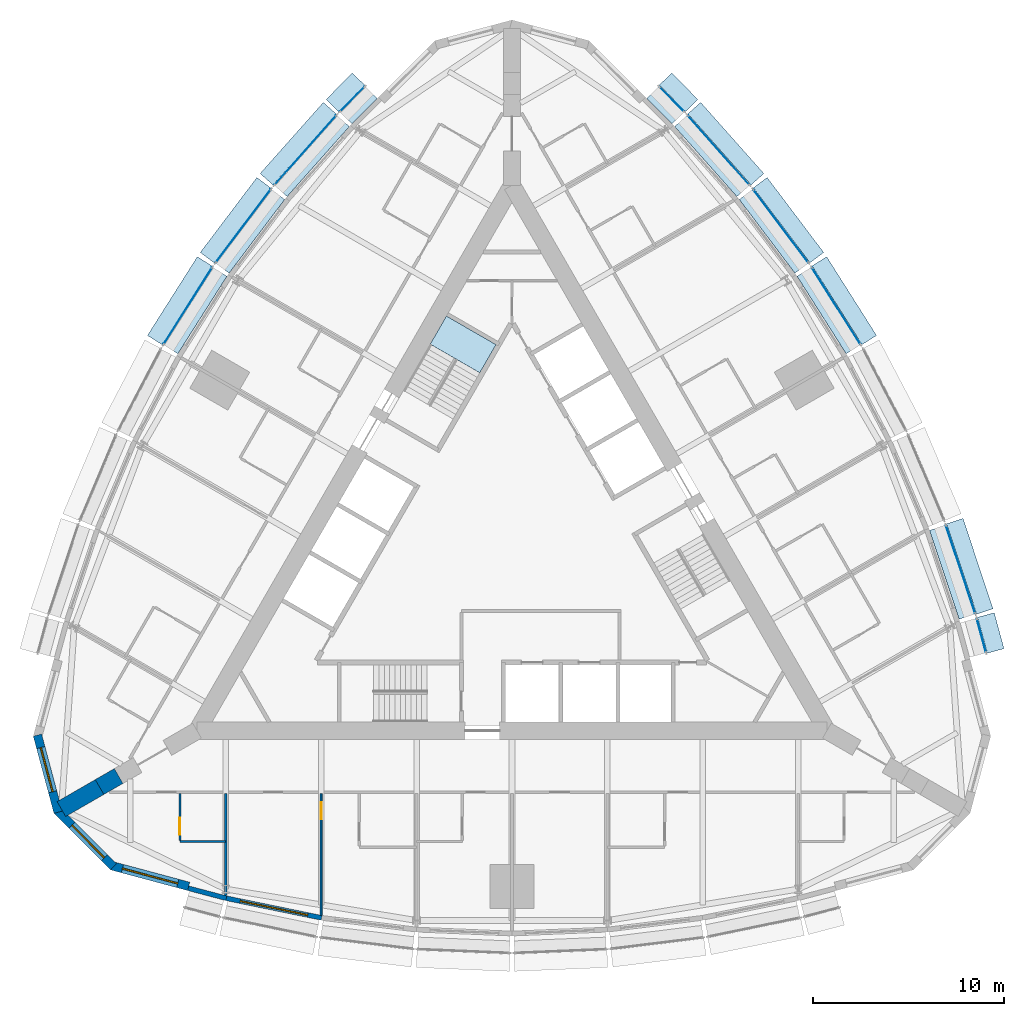
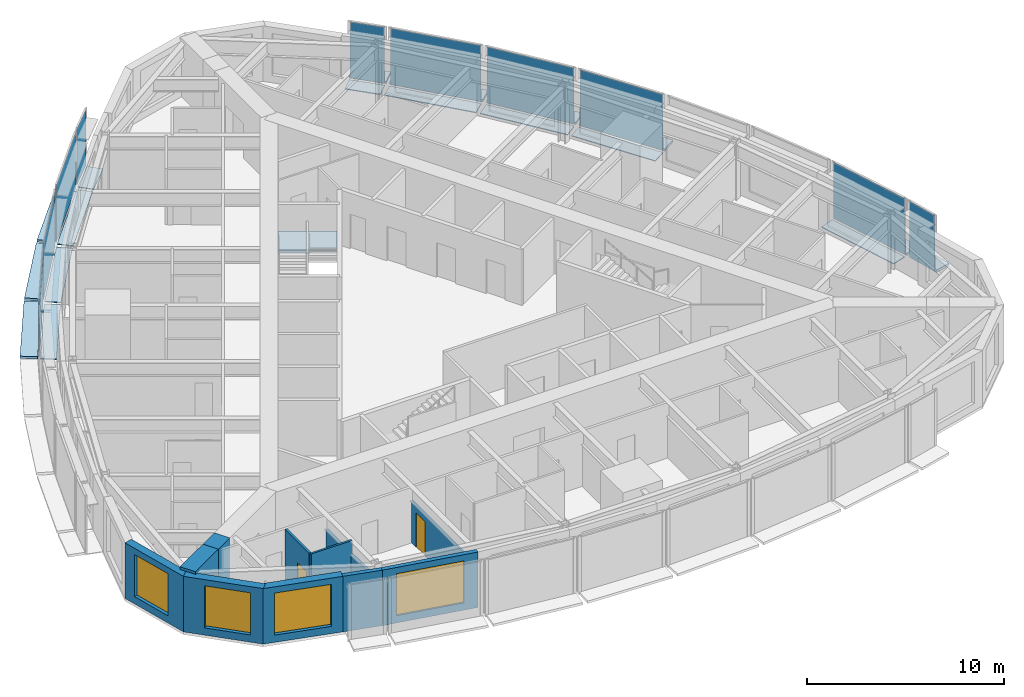
# One storey, part 8 of 15: 29 plates, 11 walls, 4 windows, 2 doors, 1 slab, 6 openings, 11 elements without a shape of their own.
"""IFC4 building model written with IfcOpenShell, lengths in metres."""

from ifc_helpers import new_model, si_unit, direction, frame, frame_2d, origin, origin_2d, place, context, subcontext, project, spatial, polyline, rectangle, outline, extrude, material, layer, layer_set, type_object, element, fill, aggregate, save


model = new_model("IFC4")

# Units and contexts
model_context = context("Model", 3, precision=1e-05, world=origin(), true_north=direction((0.0, 1.0)))
body_context = subcontext(model_context, "Body", "Model", "MODEL_VIEW")
ifc_project = project(units=[si_unit("LENGTHUNIT", "METRE"), si_unit("AREAUNIT", "SQUARE_METRE"), si_unit("VOLUMEUNIT", "CUBIC_METRE"), si_unit("PLANEANGLEUNIT", "RADIAN"), si_unit("MASSUNIT", "GRAM", prefix="KILO")], contexts=[model_context])

# Site, building, storey
site_placement = place(None, origin())
site = spatial("IfcSite", under=ifc_project, at=site_placement, CompositionType="ELEMENT")
building_placement = place(site_placement, origin())
building = spatial("IfcBuilding", under=site, at=building_placement, Name="Trikona Tower", CompositionType="ELEMENT")
storey_placement = place(building_placement, frame((0.0, 0.0, 200.89990234375)))
storey = spatial("IfcBuildingStorey", under=building, at=storey_placement, Name="L53", CompositionType="ELEMENT", Elevation=200.89990234375)

# Plates
ifc_material_1 = material(Name="Aluminium bar grating", Category="aluminium")
ifc_layer_1 = layer(ifc_material_1, 0.050048828125)
ifc_layer_set_1 = layer_set([ifc_layer_1], Name="Cavity catwalk grating")
plate_type_1 = type_object("IfcPlateType", Name="Cavity catwalk grating", PredefinedType="USERDEFINED", material=ifc_layer_set_1)
plate_1_placement = place(storey_placement, frame((23.05078125, -1.22314453125, -0.0498046875), z_axis=(0.0, 0.0, 1.0), x_axis=(-0.315092532747, 0.949060954737, 0.0)))
element("IfcPlate", 1, at=plate_1_placement, inside=storey, type_object=plate_type_1, Name="Cavity catwalk L53-13", ObjectType="CATWALK GRATING", PredefinedType="USERDEFINED", context=body_context, shape_type="SweptSolid", body=[
    extrude(rectangle(XDim=4.90478515625, YDim=0.840087890625, at=origin_2d()), origin(), (0.0, 0.0, 1.0), 0.050048828125),
])
plate_2_placement = place(storey_placement, frame((16.57666015625, 12.477294921875, -0.0498046875), z_axis=(0.0, 0.0, 1.0), x_axis=(-0.535204777743, 0.844722348397, 0.0)))
element("IfcPlate", 2, at=plate_2_placement, inside=storey, type_object=plate_type_1, Name="Cavity catwalk L53-16", ObjectType="CATWALK GRATING", PredefinedType="USERDEFINED", context=body_context, shape_type="SweptSolid", body=[
    extrude(rectangle(XDim=4.80419921875, YDim=0.840087890625, at=origin_2d()), origin(), (0.0, 0.0, 1.0), 0.050048828125),
])
plate_3_placement = place(storey_placement, frame((13.70068359375, 16.6298828125, -0.0498046875), z_axis=(0.0, 0.0, 1.0), x_axis=(-0.602401684924, 0.798193090674, 0.0)))
element("IfcPlate", 3, at=plate_3_placement, inside=storey, type_object=plate_type_1, Name="Cavity catwalk L53-17", ObjectType="CATWALK GRATING", PredefinedType="USERDEFINED", context=body_context, shape_type="SweptSolid", body=[
    extrude(rectangle(XDim=4.837890625, YDim=0.840087890625, at=origin_2d()), origin(), (0.0, 0.0, 1.0), 0.050048828125),
])
plate_4_placement = place(storey_placement, frame((10.466064453125, 20.57421875, -0.0498046875), z_axis=(0.0, 0.0, 1.0), x_axis=(-0.664367239113, 0.747406296196, 0.0)))
element("IfcPlate", 4, at=plate_4_placement, inside=storey, type_object=plate_type_1, Name="Cavity catwalk L53-18", ObjectType="CATWALK GRATING", PredefinedType="USERDEFINED", context=body_context, shape_type="SweptSolid", body=[
    extrude(rectangle(XDim=4.90478515625, YDim=0.840087890625, at=origin_2d()), origin(), (0.0, 0.0, 1.0), 0.050048828125),
])
for number, where, z_axis, x_axis, name in (
    (5, (8.0263671875, 23.23291015625, -0.0498046875), (0.0, 0.0, 1.0), (-0.704151057285, 0.710050201412, 0.0), "Cavity catwalk L53-19"),
    (6, (-8.0263671875, 23.23291015625, -0.0498046875), (0.0, 0.0, 1.0), (-0.704151057285, -0.710050201412, 0.0), "Cavity catwalk L53-24"),
):
    element("IfcPlate", number, at=place(storey_placement, frame(where, z_axis=z_axis, x_axis=x_axis)), inside=storey, type_object=plate_type_1, Name=name, ObjectType="CATWALK GRATING", PredefinedType="USERDEFINED", context=body_context, shape_type="SweptSolid", body=[
        extrude(rectangle(XDim=1.868408203125, YDim=0.840087890625, at=origin_2d()), origin(), (0.0, 0.0, 1.0), 0.050048828125),
    ])
plate_5_placement = place(storey_placement, frame((-10.466064453125, 20.57421875, -0.0498046875), z_axis=(0.0, 0.0, 1.0), x_axis=(-0.664367239113, -0.747406296196, 0.0)))
element("IfcPlate", 7, at=plate_5_placement, inside=storey, type_object=plate_type_1, Name="Cavity catwalk L53-25", ObjectType="CATWALK GRATING", PredefinedType="USERDEFINED", context=body_context, shape_type="SweptSolid", body=[
    extrude(rectangle(XDim=4.90478515625, YDim=0.840087890625, at=origin_2d()), origin(), (0.0, 0.0, 1.0), 0.050048828125),
])
plate_6_placement = place(storey_placement, frame((-13.70068359375, 16.6298828125, -0.0498046875), z_axis=(0.0, 0.0, 1.0), x_axis=(-0.602401684924, -0.798193090674, 0.0)))
element("IfcPlate", 8, at=plate_6_placement, inside=storey, type_object=plate_type_1, Name="Cavity catwalk L53-26", ObjectType="CATWALK GRATING", PredefinedType="USERDEFINED", context=body_context, shape_type="SweptSolid", body=[
    extrude(rectangle(XDim=4.837890625, YDim=0.840087890625, at=origin_2d()), origin(), (0.0, 0.0, 1.0), 0.050048828125),
])
plate_7_placement = place(storey_placement, frame((-16.57666015625, 12.477294921875, -0.0498046875), z_axis=(0.0, 0.0, 1.0), x_axis=(-0.535204777743, -0.844722348397, 0.0)))
element("IfcPlate", 9, at=plate_7_placement, inside=storey, type_object=plate_type_1, Name="Cavity catwalk L53-27", ObjectType="CATWALK GRATING", PredefinedType="USERDEFINED", context=body_context, shape_type="SweptSolid", body=[
    extrude(rectangle(XDim=4.80419921875, YDim=0.840087890625, at=origin_2d()), origin(), (0.0, 0.0, 1.0), 0.050048828125),
])

# Curtain wall, plate
ifc_material_2 = material(Name="Aluminium curtain wall system", Category="aluminium")
curtain_wall_type = type_object("IfcCurtainWallType", Name="Curtain wall DS3", PredefinedType="NOTDEFINED", material=ifc_material_2)
curtain_wall_1_placement = place(storey_placement, origin())
curtain_wall_1 = element("IfcCurtainWall", 10, at=curtain_wall_1_placement, inside=storey, type_object=curtain_wall_type, Name="Curtain wall DS3 L53", PredefinedType="NOTDEFINED")
ifc_material_3 = material(Name="Laminated clear glass", Category="glass")
ifc_layer_2 = layer(ifc_material_3, 0.028076171875)
ifc_layer_set_2 = layer_set([ifc_layer_2], Name="Glass panel DS3")
plate_type_2 = type_object("IfcPlateType", Name="Glass panel DS3", PredefinedType="CURTAIN_PANEL", material=ifc_layer_set_2)
plate_8_placement = place(storey_placement, frame((24.596435546875, -4.539306640625, 0.070068359375), z_axis=(0.0, 0.0, 1.0), x_axis=(-0.262843784676, 0.964838403494, 0.0)))
plate_8 = element("IfcPlate", 11, at=plate_8_placement, type_object=plate_type_2, Name="CW-DS3 panel 1.1", PredefinedType="CURTAIN_PANEL", context=body_context, shape_type="SweptSolid", body=[
    extrude(rectangle(XDim=1.808349609375, YDim=0.028076171875, at=origin_2d()), origin(), (0.0, 0.0, 1.0), 3.4599609375),
])
aggregate(curtain_wall_1, [plate_8])

curtain_wall_2_placement = place(storey_placement, origin())
curtain_wall_2 = element("IfcCurtainWall", 12, at=curtain_wall_2_placement, inside=storey, type_object=curtain_wall_type, Name="Curtain wall DS3 L53", PredefinedType="NOTDEFINED")
plate_9_placement = place(storey_placement, frame((23.50634765625, -1.072021484375, 0.070068359375), z_axis=(0.0, 0.0, 1.0), x_axis=(-0.315078038687, 0.949065766708, 0.0)))
plate_9 = element("IfcPlate", 13, at=plate_9_placement, type_object=plate_type_2, Name="CW-DS3 panel 1.1", PredefinedType="CURTAIN_PANEL", context=body_context, shape_type="SweptSolid", body=[
    extrude(rectangle(XDim=4.8447265625, YDim=0.028076171875, at=origin_2d()), origin(), (0.0, 0.0, 1.0), 3.4599609375),
])
aggregate(curtain_wall_2, [plate_9])

curtain_wall_3_placement = place(storey_placement, origin())
curtain_wall_3 = element("IfcCurtainWall", 14, at=curtain_wall_3_placement, inside=storey, type_object=curtain_wall_type, Name="Curtain wall DS3 L53", PredefinedType="NOTDEFINED")
plate_10_placement = place(storey_placement, frame((16.982177734375, 12.734130859375, 0.070068359375), z_axis=(0.0, 0.0, 1.0), x_axis=(-0.535197227854, 0.844727131858, 0.0)))
plate_10 = element("IfcPlate", 15, at=plate_10_placement, type_object=plate_type_2, Name="CW-DS3 panel 1.1", PredefinedType="CURTAIN_PANEL", context=body_context, shape_type="SweptSolid", body=[
    extrude(rectangle(XDim=4.744140625, YDim=0.028076171875, at=origin_2d()), origin(), (0.0, 0.0, 1.0), 3.4599609375),
])
aggregate(curtain_wall_3, [plate_10])

curtain_wall_4_placement = place(storey_placement, origin())
curtain_wall_4 = element("IfcCurtainWall", 16, at=curtain_wall_4_placement, inside=storey, type_object=curtain_wall_type, Name="Curtain wall DS3 L53", PredefinedType="NOTDEFINED")
plate_11_placement = place(storey_placement, frame((14.083740234375, 16.9189453125, 0.070068359375), z_axis=(0.0, 0.0, 1.0), x_axis=(-0.602401528506, 0.798193208724, 0.0)))
plate_11 = element("IfcPlate", 17, at=plate_11_placement, type_object=plate_type_2, Name="CW-DS3 panel 1.1", PredefinedType="CURTAIN_PANEL", context=body_context, shape_type="SweptSolid", body=[
    extrude(rectangle(XDim=4.778076171875, YDim=0.028076171875, at=origin_2d()), origin(), (0.0, 0.0, 1.0), 3.4599609375),
])
aggregate(curtain_wall_4, [plate_11])

curtain_wall_5_placement = place(storey_placement, origin())
curtain_wall_5 = element("IfcCurtainWall", 18, at=curtain_wall_5_placement, inside=storey, type_object=curtain_wall_type, Name="Curtain wall DS3 L53", PredefinedType="NOTDEFINED")
plate_12_placement = place(storey_placement, frame((10.82470703125, 20.89306640625, 0.070068359375), z_axis=(0.0, 0.0, 1.0), x_axis=(-0.664371309689, 0.747402677853, 0.0)))
plate_12 = element("IfcPlate", 19, at=plate_12_placement, type_object=plate_type_2, Name="CW-DS3 panel 1.1", PredefinedType="CURTAIN_PANEL", context=body_context, shape_type="SweptSolid", body=[
    extrude(rectangle(XDim=4.844970703125, YDim=0.028076171875, at=origin_2d()), origin(), (0.0, 0.0, 1.0), 3.4599609375),
])
aggregate(curtain_wall_5, [plate_12])

curtain_wall_6_placement = place(storey_placement, origin())
curtain_wall_6 = element("IfcCurtainWall", 20, at=curtain_wall_6_placement, inside=storey, type_object=curtain_wall_type, Name="Curtain wall DS3 L53", PredefinedType="NOTDEFINED")
plate_13_placement = place(storey_placement, frame((8.3671875, 23.57080078125, 0.070068359375), z_axis=(0.0, 0.0, 1.0), x_axis=(-0.704149343903, 0.710051900554, 0.0)))
plate_13 = element("IfcPlate", 21, at=plate_13_placement, type_object=plate_type_2, Name="CW-DS3 panel 1.1", PredefinedType="CURTAIN_PANEL", context=body_context, shape_type="SweptSolid", body=[
    extrude(rectangle(XDim=1.808349609375, YDim=0.028076171875, at=origin_2d()), origin(), (0.0, 0.0, 1.0), 3.4599609375),
])
aggregate(curtain_wall_6, [plate_13])

curtain_wall_7_placement = place(storey_placement, origin())
curtain_wall_7 = element("IfcCurtainWall", 22, at=curtain_wall_7_placement, inside=storey, type_object=curtain_wall_type, Name="Curtain wall DS3 L53", PredefinedType="NOTDEFINED")
plate_14_placement = place(storey_placement, frame((-8.3671875, 23.57080078125, 0.070068359375), z_axis=(0.0, 0.0, 1.0), x_axis=(-0.704149343903, -0.710051900554, 0.0)))
plate_14 = element("IfcPlate", 23, at=plate_14_placement, type_object=plate_type_2, Name="CW-DS3 panel 1.1", PredefinedType="CURTAIN_PANEL", context=body_context, shape_type="SweptSolid", body=[
    extrude(rectangle(XDim=1.808349609375, YDim=0.028076171875, at=origin_2d()), origin(), (0.0, 0.0, 1.0), 3.4599609375),
])
aggregate(curtain_wall_7, [plate_14])

curtain_wall_8_placement = place(storey_placement, origin())
curtain_wall_8 = element("IfcCurtainWall", 24, at=curtain_wall_8_placement, inside=storey, type_object=curtain_wall_type, Name="Curtain wall DS3 L53", PredefinedType="NOTDEFINED")
plate_15_placement = place(storey_placement, frame((-10.82470703125, 20.89306640625, 0.070068359375), z_axis=(0.0, 0.0, 1.0), x_axis=(-0.664371309689, -0.747402677853, 0.0)))
plate_15 = element("IfcPlate", 25, at=plate_15_placement, type_object=plate_type_2, Name="CW-DS3 panel 1.1", PredefinedType="CURTAIN_PANEL", context=body_context, shape_type="SweptSolid", body=[
    extrude(rectangle(XDim=4.844970703125, YDim=0.028076171875, at=origin_2d()), origin(), (0.0, 0.0, 1.0), 3.4599609375),
])
aggregate(curtain_wall_8, [plate_15])

curtain_wall_9_placement = place(storey_placement, origin())
curtain_wall_9 = element("IfcCurtainWall", 26, at=curtain_wall_9_placement, inside=storey, type_object=curtain_wall_type, Name="Curtain wall DS3 L53", PredefinedType="NOTDEFINED")
plate_16_placement = place(storey_placement, frame((-14.083740234375, 16.9189453125, 0.070068359375), z_axis=(0.0, 0.0, 1.0), x_axis=(-0.602401528506, -0.798193208724, 0.0)))
plate_16 = element("IfcPlate", 27, at=plate_16_placement, type_object=plate_type_2, Name="CW-DS3 panel 1.1", PredefinedType="CURTAIN_PANEL", context=body_context, shape_type="SweptSolid", body=[
    extrude(rectangle(XDim=4.778076171875, YDim=0.028076171875, at=origin_2d()), origin(), (0.0, 0.0, 1.0), 3.4599609375),
])
aggregate(curtain_wall_9, [plate_16])

curtain_wall_10_placement = place(storey_placement, origin())
curtain_wall_10 = element("IfcCurtainWall", 28, at=curtain_wall_10_placement, inside=storey, type_object=curtain_wall_type, Name="Curtain wall DS3 L53", PredefinedType="NOTDEFINED")
plate_17_placement = place(storey_placement, frame((-16.982177734375, 12.734130859375, 0.070068359375), z_axis=(0.0, 0.0, 1.0), x_axis=(-0.535197227854, -0.844727131858, 0.0)))
plate_17 = element("IfcPlate", 29, at=plate_17_placement, type_object=plate_type_2, Name="CW-DS3 panel 1.1", PredefinedType="CURTAIN_PANEL", context=body_context, shape_type="SweptSolid", body=[
    extrude(rectangle(XDim=4.744140625, YDim=0.028076171875, at=origin_2d()), origin(), (0.0, 0.0, 1.0), 3.4599609375),
])
aggregate(curtain_wall_10, [plate_17])

# Plates
ifc_material_4 = material(Name="Aluminium plate fin, pale anodised, on stainless steel outriggers", Category="steel")
ifc_layer_3 = layer(ifc_material_4, 0.14990234375)
ifc_layer_set_3 = layer_set([ifc_layer_3], Name="Outer skin fin 900")
plate_type_3 = type_object("IfcPlateType", Name="Outer skin fin 900", PredefinedType="USERDEFINED", material=ifc_layer_set_3)
plate_18_placement = place(storey_placement, frame((25.088623046875, -4.405029296875, 0.000244140625), z_axis=(0.0, 0.0, 1.0), x_axis=(-0.262822408229, 0.964844226667, 0.0)))
element("IfcPlate", 30, at=plate_18_placement, inside=storey, type_object=plate_type_3, Name="Outer skin fin L53-12", ObjectType="FIN", PredefinedType="USERDEFINED", context=body_context, shape_type="SweptSolid", body=[
    extrude(rectangle(XDim=1.9482421875, YDim=0.89990234375, at=origin_2d()), origin(), (0.0, 0.0, 1.0), 0.14990234375),
])
plate_19_placement = place(storey_placement, frame((23.990234375, -0.9111328125, 0.000244140625), z_axis=(0.0, 0.0, 1.0), x_axis=(-0.315092532747, 0.949060954737, 0.0)))
element("IfcPlate", 31, at=plate_19_placement, inside=storey, type_object=plate_type_3, Name="Outer skin fin L53-13", ObjectType="FIN", PredefinedType="USERDEFINED", context=body_context, shape_type="SweptSolid", body=[
    extrude(rectangle(XDim=4.98486328125, YDim=0.89990234375, at=origin_2d()), origin(), (0.0, 0.0, 1.0), 0.14990234375),
])
plate_20_placement = place(storey_placement, frame((17.4130859375, 13.007080078125, 0.000244140625), z_axis=(0.0, 0.0, 1.0), x_axis=(-0.535204777743, 0.844722348397, 0.0)))
element("IfcPlate", 32, at=plate_20_placement, inside=storey, type_object=plate_type_3, Name="Outer skin fin L53-16", ObjectType="FIN", PredefinedType="USERDEFINED", context=body_context, shape_type="SweptSolid", body=[
    extrude(rectangle(XDim=4.88427734375, YDim=0.89990234375, at=origin_2d()), origin(), (0.0, 0.0, 1.0), 0.14990234375),
])
plate_21_placement = place(storey_placement, frame((14.49072265625, 17.22607421875, 0.000244140625), z_axis=(0.0, 0.0, 1.0), x_axis=(-0.602401684924, 0.798193090674, 0.0)))
element("IfcPlate", 33, at=plate_21_placement, inside=storey, type_object=plate_type_3, Name="Outer skin fin L53-17", ObjectType="FIN", PredefinedType="USERDEFINED", context=body_context, shape_type="SweptSolid", body=[
    extrude(rectangle(XDim=4.91796875, YDim=0.89990234375, at=origin_2d()), origin(), (0.0, 0.0, 1.0), 0.14990234375),
])
plate_22_placement = place(storey_placement, frame((11.2060546875, 21.23193359375, 0.000244140625), z_axis=(0.0, 0.0, 1.0), x_axis=(-0.664367239113, 0.747406296196, 0.0)))
element("IfcPlate", 34, at=plate_22_placement, inside=storey, type_object=plate_type_3, Name="Outer skin fin L53-18", ObjectType="FIN", PredefinedType="USERDEFINED", context=body_context, shape_type="SweptSolid", body=[
    extrude(rectangle(XDim=4.98486328125, YDim=0.89990234375, at=origin_2d()), origin(), (0.0, 0.0, 1.0), 0.14990234375),
])
for number, where, z_axis, x_axis, name in (
    (35, (8.7294921875, 23.929931640625, 0.000244140625), (0.0, 0.0, 1.0), (-0.704151057285, 0.710050201412, 0.0), "Outer skin fin L53-19"),
    (36, (-8.7294921875, 23.929931640625, 0.000244140625), (0.0, 0.0, 1.0), (-0.704151057285, -0.710050201412, 0.0), "Outer skin fin L53-24"),
):
    element("IfcPlate", number, at=place(storey_placement, frame(where, z_axis=z_axis, x_axis=x_axis)), inside=storey, type_object=plate_type_3, Name=name, ObjectType="FIN", PredefinedType="USERDEFINED", context=body_context, shape_type="SweptSolid", body=[
        extrude(rectangle(XDim=1.9482421875, YDim=0.89990234375, at=origin_2d()), origin(), (0.0, 0.0, 1.0), 0.14990234375),
    ])
plate_23_placement = place(storey_placement, frame((-11.2060546875, 21.23193359375, 0.000244140625), z_axis=(0.0, 0.0, 1.0), x_axis=(-0.664367239113, -0.747406296196, 0.0)))
element("IfcPlate", 37, at=plate_23_placement, inside=storey, type_object=plate_type_3, Name="Outer skin fin L53-25", ObjectType="FIN", PredefinedType="USERDEFINED", context=body_context, shape_type="SweptSolid", body=[
    extrude(rectangle(XDim=4.98486328125, YDim=0.89990234375, at=origin_2d()), origin(), (0.0, 0.0, 1.0), 0.14990234375),
])
plate_24_placement = place(storey_placement, frame((-14.49072265625, 17.22607421875, 0.000244140625), z_axis=(0.0, 0.0, 1.0), x_axis=(-0.602401684924, -0.798193090674, 0.0)))
element("IfcPlate", 38, at=plate_24_placement, inside=storey, type_object=plate_type_3, Name="Outer skin fin L53-26", ObjectType="FIN", PredefinedType="USERDEFINED", context=body_context, shape_type="SweptSolid", body=[
    extrude(rectangle(XDim=4.91796875, YDim=0.89990234375, at=origin_2d()), origin(), (0.0, 0.0, 1.0), 0.14990234375),
])
plate_25_placement = place(storey_placement, frame((-17.4130859375, 13.007080078125, 0.000244140625), z_axis=(0.0, 0.0, 1.0), x_axis=(-0.535204777743, -0.844722348397, 0.0)))
element("IfcPlate", 39, at=plate_25_placement, inside=storey, type_object=plate_type_3, Name="Outer skin fin L53-27", ObjectType="FIN", PredefinedType="USERDEFINED", context=body_context, shape_type="SweptSolid", body=[
    extrude(rectangle(XDim=4.88427734375, YDim=0.89990234375, at=origin_2d()), origin(), (0.0, 0.0, 1.0), 0.14990234375),
])

# Stair, slab
ifc_material_5 = material(Name="Concrete f'c 5000 psi", Category="concrete")
stair_type = type_object("IfcStairType", Name="Core stair", PredefinedType="HALF_TURN_STAIR", material=ifc_material_5)
stair_placement = place(storey_placement, origin())
stair = element("IfcStair", 40, at=stair_placement, inside=storey, type_object=stair_type, Name="Stair C L53", PredefinedType="HALF_TURN_STAIR")
ifc_material_6 = material(Name="Concrete f'c 5000 psi", Category="concrete")
ifc_layer_4 = layer(ifc_material_6, 0.199951171875)
ifc_layer_set_4 = layer_set([ifc_layer_4], Name="Stair landing 200")
slab_type = type_object("IfcSlabType", Name="Stair landing 200", PredefinedType="LANDING", material=ifc_layer_set_4)
slab_placement = place(storey_placement, frame((0.0, 0.0, 1.60009765625)))
slab = element("IfcSlab", 41, at=slab_placement, type_object=slab_type, Name="ST-C landing 2", PredefinedType="LANDING", context=body_context, shape_type="SweptSolid", body=[
    extrude(outline(polyline([(-0.837158203125, 10.702392578125), (-1.688720703125, 9.2275390625), (-4.286865234375, 10.7275390625), (-3.435302734375, 12.202392578125), (-0.837158203125, 10.702392578125)])), origin(), (0.0, 0.0, 1.0), 0.199951171875),
])
aggregate(stair, [slab])

# Wall
ifc_material_7 = material(Name="Metal stud and cement board", Category="gypsum")
ifc_layer_5 = layer(ifc_material_7, 0.1201171875)
ifc_layer_set_5 = layer_set([ifc_layer_5], Name="Bathroom wall 120")
wall_type_1 = type_object("IfcWallType", Name="Bathroom wall 120", PredefinedType="PLUMBINGWALL", material=ifc_layer_set_5)
wall_1_placement = place(storey_placement, frame((-17.39990234375, -15.326416015625, 0.0), z_axis=(0.0, 0.0, 1.0), x_axis=(1.0, 0.0, 0.0)))
element("IfcWall", 42, at=wall_1_placement, inside=storey, type_object=wall_type_1, Name="Bathroom wall 5301", PredefinedType="PLUMBINGWALL", context=body_context, shape_type="SweptSolid", body=[
    extrude(rectangle(XDim=2.39990234375, YDim=0.1201171875, at=frame_2d((1.199951171875, 0.0))), origin(), (0.0, 0.0, 1.0), 3.43505859375),
])

# Wall, opening, door
wall_2_placement = place(storey_placement, frame((-17.39990234375, -12.826416015625, 0.0), z_axis=(0.0, 0.0, 1.0), x_axis=(0.0, -1.0, 0.0)))
wall_2 = element("IfcWall", 43, at=wall_2_placement, inside=storey, type_object=wall_type_1, Name="Bathroom wall 5301", PredefinedType="PLUMBINGWALL", context=body_context, shape_type="SweptSolid", body=[
    extrude(rectangle(XDim=2.43994140625, YDim=0.1201171875, at=frame_2d((1.219970703125, 0.0))), origin(), (0.0, 0.0, 1.0), 3.43505859375),
])
opening_1_placement = place(wall_2_placement, frame((1.25, 0.0, 0.0)))
opening_1 = element("IfcOpeningElement", 44, at=opening_1_placement, cuts=wall_2, Name="Opening D2", PredefinedType="OPENING", context=body_context, shape_type="SweptSolid", body=[
    extrude(rectangle(XDim=0.89990234375, YDim=2.1298828125, at=frame_2d((0.449951171875, 1.06494140625))), frame((0.0, 0.070068359375, 0.0), z_axis=(0.0, -1.0, 0.0), x_axis=(1.0, 0.0, 0.0)), (0.0, 0.0, 1.0), 0.14013671875),
])
ifc_material_8 = material(Name="Steel door frame with solid-core timber leaf", Category="steel")
door_type_1 = type_object("IfcDoorType", Name="Bathroom door 900x2130", OperationType="SLIDING_TO_LEFT", PredefinedType="DOOR", material=ifc_material_8)
door_1_placement = place(opening_1_placement, origin())
door_1 = element("IfcDoor", 45, at=door_1_placement, inside=storey, type_object=door_type_1, Name="Bathroom door 5301", OperationType="SLIDING_TO_LEFT", OverallHeight=2.1298828125, OverallWidth=0.89990234375, PredefinedType="DOOR", context=body_context, shape_type="SweptSolid", body=[
    extrude(rectangle(XDim=0.89990234375, YDim=2.1298828125, at=frame_2d((0.449951171875, 1.06494140625))), frame((0.0, 0.02490234375, 0.0), z_axis=(0.0, -1.0, 0.0), x_axis=(1.0, 0.0, 0.0)), (0.0, 0.0, 1.0), 0.050048828125),
])
fill(opening_1, door_1)

# Wall, opening, window
ifc_material_9 = material(Name="Brick-faced precast concrete", Category="masonry")
ifc_layer_6 = layer(ifc_material_9, 0.449951171875)
ifc_layer_set_6 = layer_set([ifc_layer_6], Name="Brick-faced corner wall 450")
wall_type_2 = type_object("IfcWallType", Name="Brick-faced corner wall 450", PredefinedType="SOLIDWALL", material=ifc_layer_set_6)
wall_3_placement = place(storey_placement, frame((-24.865478515625, -9.7568359375, 0.0), z_axis=(0.0, 0.0, 1.0), x_axis=(0.258799282522, -0.96593112144, 0.0)))
wall_3 = element("IfcWall", 46, at=wall_3_placement, inside=storey, type_object=wall_type_2, Name="External wall L53-33", PredefinedType="SOLIDWALL", context=body_context, shape_type="SweptSolid", body=[
    extrude(outline(polyline([(4.183837890625, 0.22509765625), (4.12451171875, 0.22509765625), (3.6328125, 0.09326171875), (3.597412109375, 0.22509765625), (0.0, 0.22509765625), (0.0, -0.22509765625), (4.183837890625, -0.22509765625), (4.183837890625, 0.22509765625)])), origin(), (0.0, 0.0, 1.0), 3.43505859375),
])
opening_2_placement = place(wall_3_placement, frame((0.673828125, 0.0, 0.449951171875)))
opening_2 = element("IfcOpeningElement", 47, at=opening_2_placement, cuts=wall_3, Name="Opening W2426", PredefinedType="OPENING", context=body_context, shape_type="SweptSolid", body=[
    extrude(rectangle(XDim=2.39990234375, YDim=2.60009765625, at=frame_2d((1.199951171875, 1.300048828125))), frame((0.0, 0.23486328125, 0.0), z_axis=(0.0, -1.0, 0.0), x_axis=(1.0, 0.0, 0.0)), (0.0, 0.0, 1.0), 0.469970703125),
])
ifc_material_10 = material(Name="Aluminium-framed double glazing", Category="aluminium")
window_type_1 = type_object("IfcWindowType", Name="Window 2400x2600", PartitioningType="SINGLE_PANEL", PredefinedType="WINDOW", material=ifc_material_10)
window_1_placement = place(opening_2_placement, origin())
window_1 = element("IfcWindow", 48, at=window_1_placement, inside=storey, type_object=window_type_1, Name="Window 5316", OverallHeight=2.60009765625, OverallWidth=2.39990234375, PartitioningType="SINGLE_PANEL", PredefinedType="WINDOW", context=body_context, shape_type="SweptSolid", body=[
    extrude(rectangle(XDim=2.39990234375, YDim=2.60009765625, at=frame_2d((1.199951171875, 1.300048828125))), frame((0.0, 0.030029296875, 0.0), z_axis=(0.0, -1.0, 0.0), x_axis=(1.0, 0.0, 0.0)), (0.0, 0.0, 1.0), 0.06005859375),
])
fill(opening_2, window_1)

wall_4_placement = place(storey_placement, frame((-23.8408203125, -13.697265625, 0.0), z_axis=(0.0, 0.0, 1.0), x_axis=(0.707077605902, -0.707135955267, 0.0)))
wall_4 = element("IfcWall", 49, at=wall_4_placement, inside=storey, type_object=wall_type_2, Name="External wall L53-34", PredefinedType="SOLIDWALL", context=body_context, shape_type="SweptSolid", body=[
    extrude(outline(polyline([(4.18408203125, 0.22509765625), (0.58642578125, 0.22509765625), (0.551025390625, 0.093017578125), (0.058837890625, 0.22509765625), (0.0, 0.22509765625), (0.0, -0.22509765625), (4.18408203125, -0.22509765625), (4.18408203125, 0.22509765625)])), origin(), (0.0, 0.0, 1.0), 3.43505859375),
])
opening_3_placement = place(wall_4_placement, frame((1.110107421875, 0.0, 0.449951171875)))
opening_3 = element("IfcOpeningElement", 50, at=opening_3_placement, cuts=wall_4, Name="Opening W2426", PredefinedType="OPENING", context=body_context, shape_type="SweptSolid", body=[
    extrude(rectangle(XDim=2.39990234375, YDim=2.60009765625, at=frame_2d((1.199951171875, 1.300048828125))), frame((0.0, 0.23486328125, 0.0), z_axis=(0.0, -1.0, 0.0), x_axis=(1.0, 0.0, 0.0)), (0.0, 0.0, 1.0), 0.469970703125),
])
window_2_placement = place(opening_3_placement, origin())
window_2 = element("IfcWindow", 51, at=window_2_placement, inside=storey, type_object=window_type_1, Name="Window 5301", OverallHeight=2.60009765625, OverallWidth=2.39990234375, PartitioningType="SINGLE_PANEL", PredefinedType="WINDOW", context=body_context, shape_type="SweptSolid", body=[
    extrude(rectangle(XDim=2.39990234375, YDim=2.60009765625, at=frame_2d((1.199951171875, 1.300048828125))), frame((0.0, 0.030029296875, 0.0), z_axis=(0.0, -1.0, 0.0), x_axis=(1.0, 0.0, 0.0)), (0.0, 0.0, 1.0), 0.06005859375),
])
fill(opening_3, window_2)

wall_5_placement = place(storey_placement, frame((-20.9833984375, -16.59765625, 0.0), z_axis=(0.0, 0.0, 1.0), x_axis=(0.965920442324, -0.258839137498, 0.0)))
wall_5 = element("IfcWall", 52, at=wall_5_placement, inside=storey, type_object=wall_type_2, Name="External wall L53-35", PredefinedType="SOLIDWALL", context=body_context, shape_type="SweptSolid", body=[
    extrude(rectangle(XDim=4.18408203125, YDim=0.449951171875, at=frame_2d((2.092041015625, 0.0))), origin(), (0.0, 0.0, 1.0), 3.43505859375),
])
opening_4_placement = place(wall_5_placement, frame((0.592041015625, 0.0, 0.449951171875)))
opening_4 = element("IfcOpeningElement", 53, at=opening_4_placement, cuts=wall_5, Name="Opening W3026", PredefinedType="OPENING", context=body_context, shape_type="SweptSolid", body=[
    extrude(rectangle(XDim=3.0, YDim=2.60009765625, at=frame_2d((1.5, 1.300048828125))), frame((0.0, 0.23486328125, 0.0), z_axis=(0.0, -1.0, 0.0), x_axis=(1.0, 0.0, 0.0)), (0.0, 0.0, 1.0), 0.469970703125),
])
ifc_material_11 = material(Name="Aluminium-framed double glazing", Category="aluminium")
window_type_2 = type_object("IfcWindowType", Name="Window 3000x2600", PartitioningType="SINGLE_PANEL", PredefinedType="WINDOW", material=ifc_material_11)
window_3_placement = place(opening_4_placement, origin())
window_3 = element("IfcWindow", 54, at=window_3_placement, inside=storey, type_object=window_type_2, Name="Window 5301", OverallHeight=2.60009765625, OverallWidth=3.0, PartitioningType="SINGLE_PANEL", PredefinedType="WINDOW", context=body_context, shape_type="SweptSolid", body=[
    extrude(rectangle(XDim=3.0, YDim=2.60009765625, at=frame_2d((1.5, 1.300048828125))), frame((0.0, 0.030029296875, 0.0), z_axis=(0.0, -1.0, 0.0), x_axis=(1.0, 0.0, 0.0)), (0.0, 0.0, 1.0), 0.06005859375),
])
fill(opening_4, window_3)

# Walls
ifc_material_12 = material(Name="Concrete f'c 10000 psi", Category="concrete")
ifc_layer_7 = layer(ifc_material_12, 0.89990234375)
ifc_layer_set_7 = layer_set([ifc_layer_7], Name="Buttress wall 900")
wall_type_3 = type_object("IfcWallType", Name="Buttress wall 900", PredefinedType="SHEAR", material=ifc_layer_set_7)
wall_6_placement = place(storey_placement, frame((-20.6103515625, -11.8994140625, 0.0), z_axis=(0.0, 0.0, 1.0), x_axis=(-0.866009537788, -0.500027479704, 0.0)))
element("IfcWall", 55, at=wall_6_placement, inside=storey, type_object=wall_type_3, Name="Buttress wall 3 part 2", PredefinedType="SHEAR", context=body_context, shape_type="SweptSolid", body=[
    extrude(rectangle(XDim=1.15478515625, YDim=0.89990234375, at=frame_2d((0.577392578125, 0.0))), origin(), (0.0, 0.0, 1.0), 3.60009765625),
])
wall_7_placement = place(storey_placement, frame((-21.6103515625, -12.476806640625, 0.0), z_axis=(0.0, 0.0, 1.0), x_axis=(-0.866055313784, -0.499948190782, 0.0)))
element("IfcWall", 56, at=wall_7_placement, inside=storey, type_object=wall_type_3, Name="Buttress wall 3 part 3", PredefinedType="SHEAR", context=body_context, shape_type="SweptSolid", body=[
    extrude(rectangle(XDim=2.309326171875, YDim=0.89990234375, at=frame_2d((1.15478515625, 0.0))), origin(), (0.0, 0.0, 1.0), 3.60009765625),
])
ifc_material_13 = material(Name="Insulated precast concrete spandrel panel", Category="concrete")
ifc_layer_8 = layer(ifc_material_13, 0.25)
ifc_layer_set_8 = layer_set([ifc_layer_8], Name="Inner skin wall 250")
wall_type_4 = type_object("IfcWallType", Name="Inner skin wall 250", PredefinedType="STANDARD", material=ifc_layer_set_8)
wall_8_placement = place(storey_placement, frame((-16.968017578125, -17.777099609375, 0.0), z_axis=(0.0, 0.0, 1.0), x_axis=(0.967010286052, -0.254737328772, 0.0)))
element("IfcWall", 57, at=wall_8_placement, inside=storey, type_object=wall_type_4, Name="External wall L53-00", PredefinedType="STANDARD", context=body_context, shape_type="SweptSolid", body=[
    extrude(rectangle(XDim=2.068115234375, YDim=0.25, at=frame_2d((1.0341796875, 0.0))), origin(), (0.0, 0.0, 1.0), 3.43505859375),
])

# Wall, opening, window
wall_9_placement = place(storey_placement, frame((-14.974853515625, -18.302490234375, 0.0), z_axis=(0.0, 0.0, 1.0), x_axis=(0.979461488189, -0.201631329795, 0.0)))
wall_9 = element("IfcWall", 58, at=wall_9_placement, inside=storey, type_object=wall_type_4, Name="External wall L53-01", PredefinedType="STANDARD", context=body_context, shape_type="SweptSolid", body=[
    extrude(rectangle(XDim=5.104736328125, YDim=0.25, at=frame_2d((2.55224609375, 0.0))), origin(), (0.0, 0.0, 1.0), 3.43505859375),
])
opening_5_placement = place(wall_9_placement, frame((0.75244140625, 0.0, 0.449951171875)))
opening_5 = element("IfcOpeningElement", 59, at=opening_5_placement, cuts=wall_9, Name="Opening W3626", PredefinedType="OPENING", context=body_context, shape_type="SweptSolid", body=[
    extrude(rectangle(XDim=3.60009765625, YDim=2.60009765625, at=frame_2d((1.800048828125, 1.300048828125))), frame((0.0, 0.135009765625, 0.0), z_axis=(0.0, -1.0, 0.0), x_axis=(1.0, 0.0, 0.0)), (0.0, 0.0, 1.0), 0.27001953125),
])
ifc_material_14 = material(Name="Aluminium-framed double glazing", Category="aluminium")
window_type_3 = type_object("IfcWindowType", Name="Window 3600x2600", PartitioningType="SINGLE_PANEL", PredefinedType="WINDOW", material=ifc_material_14)
window_4_placement = place(opening_5_placement, origin())
window_4 = element("IfcWindow", 60, at=window_4_placement, inside=storey, type_object=window_type_3, Name="Window 5302", OverallHeight=2.60009765625, OverallWidth=3.60009765625, PartitioningType="SINGLE_PANEL", PredefinedType="WINDOW", context=body_context, shape_type="SweptSolid", body=[
    extrude(rectangle(XDim=3.60009765625, YDim=2.60009765625, at=frame_2d((1.800048828125, 1.300048828125))), frame((0.0, 0.030029296875, 0.0), z_axis=(0.0, -1.0, 0.0), x_axis=(1.0, 0.0, 0.0)), (0.0, 0.0, 1.0), 0.06005859375),
])
fill(opening_5, window_4)

# Wall
ifc_material_15 = material(Name="Metal stud and gypsum board, 1-hour acoustic", Category="gypsum")
ifc_layer_9 = layer(ifc_material_15, 0.14990234375)
ifc_layer_set_9 = layer_set([ifc_layer_9], Name="Party wall 150")
wall_type_5 = type_object("IfcWallType", Name="Party wall 150", PredefinedType="PARTITIONING", material=ifc_layer_set_9)
wall_10_placement = place(storey_placement, frame((-15.0, -12.826416015625, 0.0), z_axis=(0.0, 0.0, 1.0), x_axis=(0.0, -1.0, 0.0)))
element("IfcWall", 61, at=wall_10_placement, inside=storey, type_object=wall_type_5, Name="Partition L53 F1 u-15", PredefinedType="PARTITIONING", context=body_context, shape_type="SweptSolid", body=[
    extrude(rectangle(XDim=5.340087890625, YDim=0.14990234375, at=frame_2d((2.669921875, 0.0))), origin(), (0.0, 0.0, 1.0), 2.58935546875),
])

# Wall, opening, door
ifc_material_16 = material(Name="Metal stud and gypsum board, acoustic", Category="gypsum")
ifc_layer_10 = layer(ifc_material_16, 0.10009765625)
ifc_layer_set_10 = layer_set([ifc_layer_10], Name="Suite partition 100")
wall_type_6 = type_object("IfcWallType", Name="Suite partition 100", PredefinedType="PARTITIONING", material=ifc_layer_set_10)
wall_11_placement = place(storey_placement, frame((-10.0, -12.826416015625, 0.0), z_axis=(0.0, 0.0, 1.0), x_axis=(0.0, -1.0, 0.0)))
wall_11 = element("IfcWall", 62, at=wall_11_placement, inside=storey, type_object=wall_type_6, Name="Suite partition L53 F1 u-10", PredefinedType="PARTITIONING", context=body_context, shape_type="SweptSolid", body=[
    extrude(rectangle(XDim=6.372802734375, YDim=0.10009765625, at=frame_2d((3.1865234375, 0.0))), origin(), (0.0, 0.0, 1.0), 2.58935546875),
])
opening_6_placement = place(wall_11_placement, frame((0.449951171875, 0.0, 0.0)))
opening_6 = element("IfcOpeningElement", 63, at=opening_6_placement, cuts=wall_11, Name="Opening D13", PredefinedType="OPENING", context=body_context, shape_type="SweptSolid", body=[
    extrude(rectangle(XDim=0.89990234375, YDim=2.1298828125, at=frame_2d((0.449951171875, 1.06494140625))), frame((0.0, 0.06005859375, 0.0), z_axis=(0.0, -1.0, 0.0), x_axis=(1.0, 0.0, 0.0)), (0.0, 0.0, 1.0), 0.1201171875),
])
ifc_material_17 = material(Name="Steel door frame with solid-core timber leaf", Category="steel")
door_type_2 = type_object("IfcDoorType", Name="Suite door 900x2130", OperationType="SINGLE_SWING_LEFT", PredefinedType="DOOR", material=ifc_material_17)
door_2_placement = place(opening_6_placement, origin())
door_2 = element("IfcDoor", 64, at=door_2_placement, inside=storey, type_object=door_type_2, Name="Suite door 5302", OperationType="SINGLE_SWING_LEFT", OverallHeight=2.1298828125, OverallWidth=0.89990234375, PredefinedType="DOOR", context=body_context, shape_type="SweptSolid", body=[
    extrude(rectangle(XDim=0.89990234375, YDim=2.1298828125, at=frame_2d((0.449951171875, 1.06494140625))), frame((0.0, 0.02490234375, 0.0), z_axis=(0.0, -1.0, 0.0), x_axis=(1.0, 0.0, 0.0)), (0.0, 0.0, 1.0), 0.050048828125),
])
fill(opening_6, door_2)

save(model, "model.ifc")
